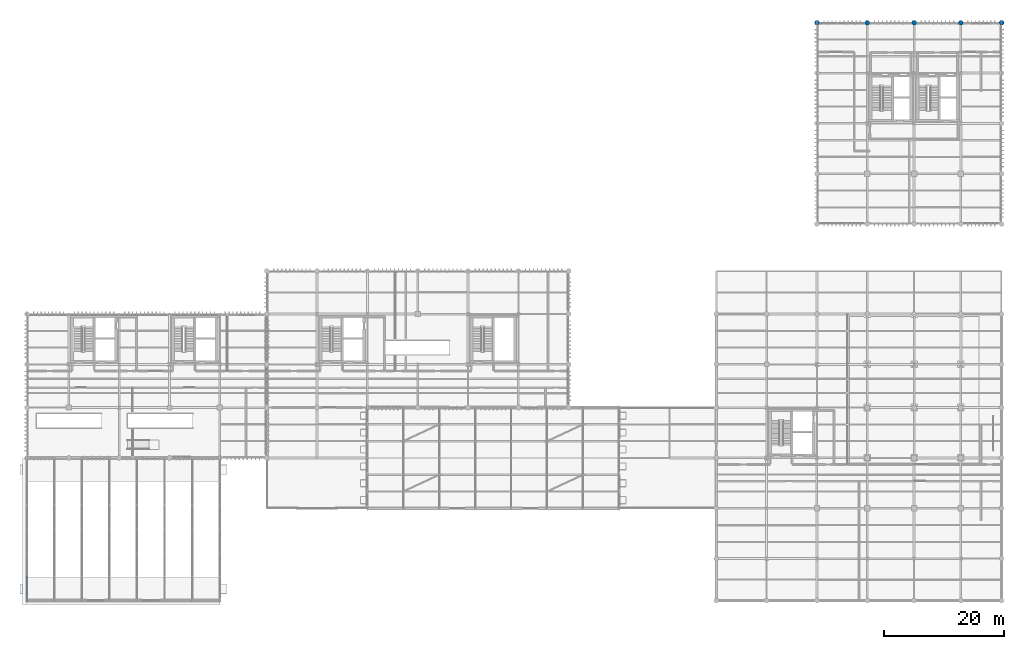
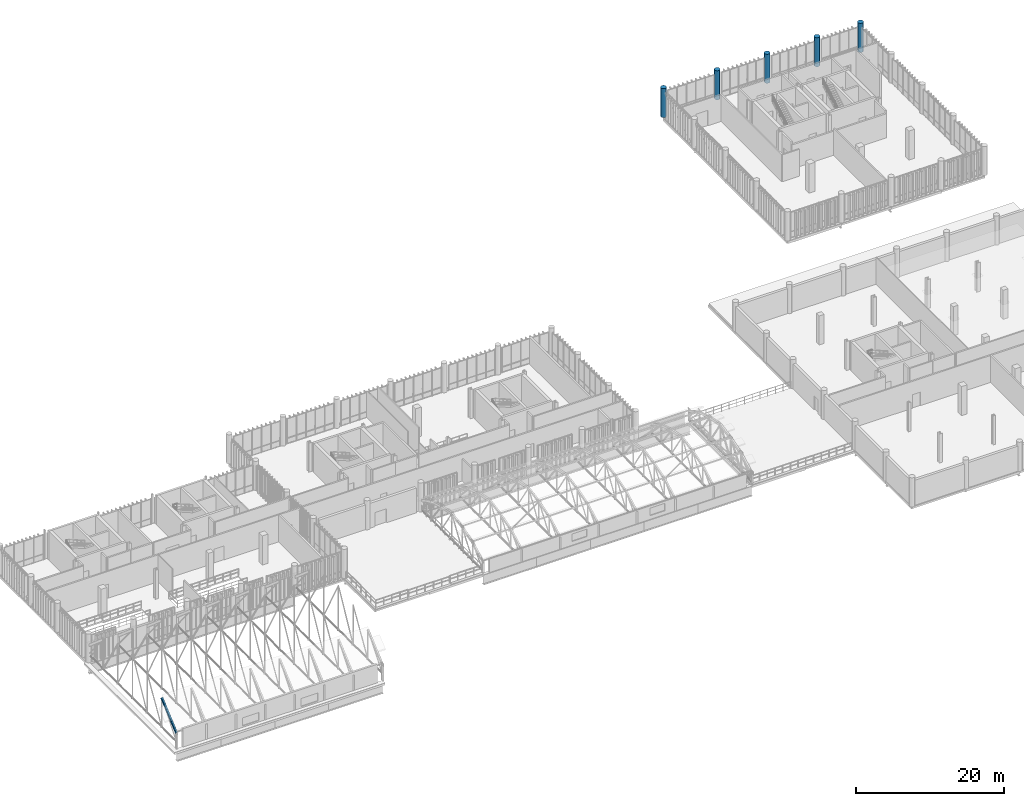
# One storey, part 11 of 109: 5 columns, 1 beam.
"""IFC4 building model written with IfcOpenShell, lengths in metres."""

from ifc_helpers import new_model, si_unit, direction, frame, origin_with_axes, origin_2d_with_axis, place, context, subcontext, project, spatial, hollow_rectangle, circle, extrude, material, material_profile, profile_set, type_object, element, save


model = new_model("IFC4")

# Units and contexts
model_context = context("Model", 3, precision=1e-05, world=origin_with_axes(), true_north=direction((0.0, 1.0)))
body_context = subcontext(model_context, "Body", "Model", "MODEL_VIEW")
ifc_project = project(units=[si_unit("LENGTHUNIT", "METRE"), si_unit("AREAUNIT", "SQUARE_METRE"), si_unit("VOLUMEUNIT", "CUBIC_METRE"), si_unit("PLANEANGLEUNIT", "RADIAN"), si_unit("MASSUNIT", "GRAM", prefix="KILO"), si_unit("THERMODYNAMICTEMPERATUREUNIT", "KELVIN")], contexts=[model_context])

# Site, building, storey
site_placement = place(None, origin_with_axes())
site = spatial("IfcSite", under=ifc_project, at=site_placement, CompositionType="ELEMENT")
building_placement = place(site_placement, origin_with_axes())
building = spatial("IfcBuilding", under=site, at=building_placement, Name="Montbau Bow Law Courts", CompositionType="ELEMENT")
storey_placement = place(building_placement, frame((0.0, 0.0, 10.8), z_axis=(0.0, 0.0, 1.0), x_axis=(1.0, 0.0, 0.0)))
storey = spatial("IfcBuildingStorey", under=building, at=storey_placement, Name="L02", CompositionType="ELEMENT", Elevation=10.8)

# Columns
ifc_material_1 = material(Name="Concrete CSA A23.1 f'c 40 MPa", Category="concrete")
ifc_material_profile_1 = material_profile(ifc_material_1, circle(Radius=0.4, at=origin_2d_with_axis()), Name="RC800D", Category="Main", Priority=0)
ifc_profile_set_1 = profile_set([ifc_material_profile_1], Name="Concrete CSA A23.1 f'c 40 MPa")
column_type = type_object("IfcColumnType", Name="C-RC-07", PredefinedType="COLUMN", material=ifc_profile_set_1)
for number, where, z_axis, x_axis, name in (
    (1, (138.6, 103.2, 10.8), (0.0, 0.0, 1.0), (1.0, 0.0, 0.0), "C-L02-S0594:col2_0594"),
    (2, (147.0, 103.2, 10.8), (0.0, 0.0, 1.0), (1.0, 0.0, 0.0), "C-L02-S0606:col2_0606"),
    (3, (154.8, 103.2, 10.8), (0.0, 0.0, 1.0), (1.0, 0.0, 0.0), "C-L02-S0618:col2_0618"),
    (4, (162.6, 103.2, 10.8), (0.0, 0.0, 1.0), (1.0, 0.0, 0.0), "C-L02-S0630:col2_0630"),
    (5, (169.4, 103.2, 10.8), (0.0, 0.0, 1.0), (1.0, 0.0, 0.0), "C-L02-S0642:col2_0642"),
):
    element("IfcColumn", number, at=place(None, frame(where, z_axis=z_axis, x_axis=x_axis)), inside=storey, type_object=column_type, Name=name, PredefinedType="COLUMN", context=body_context, shape_type="SweptSolid", body=[
        extrude(circle(Radius=0.4, at=origin_2d_with_axis()), origin_with_axes(), (0.0, 0.0, 1.0), 4.8),
    ])

# Beam
ifc_material_2 = material(Name="Steel CSA G40.21 Grade 350WT (350 MPa)", Category="steel")
ifc_material_profile_2 = material_profile(ifc_material_2, hollow_rectangle(XDim=0.254, YDim=0.356, WallThickness=0.0127, InnerFilletRadius=0.0254, OuterFilletRadius=0.0127, at=origin_2d_with_axis()), Name="HSS356X254X13", Category="Main", Priority=0)
ifc_profile_set_2 = profile_set([ifc_material_profile_2], Name="Steel CSA G40.21 Grade 350WT (350 MPa)")
beam_type = type_object("IfcBeamType", Name="B-ARC-01", PredefinedType="USERDEFINED", material=ifc_profile_set_2)
beam_placement = place(None, frame((6.8, 6.8, 13.429), z_axis=(0.0, 0.758621798, 0.651531249), x_axis=(-1.0, 0.0, 0.0)))
element("IfcBeam", 6, at=beam_placement, inside=storey, type_object=beam_type, Name="Barrel vault roof truss arch rib V1-001", ObjectType="ARCH_RIB", PredefinedType="USERDEFINED", context=body_context, shape_type="SweptSolid", body=[
    extrude(hollow_rectangle(XDim=0.254, YDim=0.356, WallThickness=0.0127, InnerFilletRadius=0.0254, OuterFilletRadius=0.0127, at=origin_2d_with_axis()), origin_with_axes(), (0.0, 0.0, 1.0), 5.22922),
])

save(model, "model.ifc")
